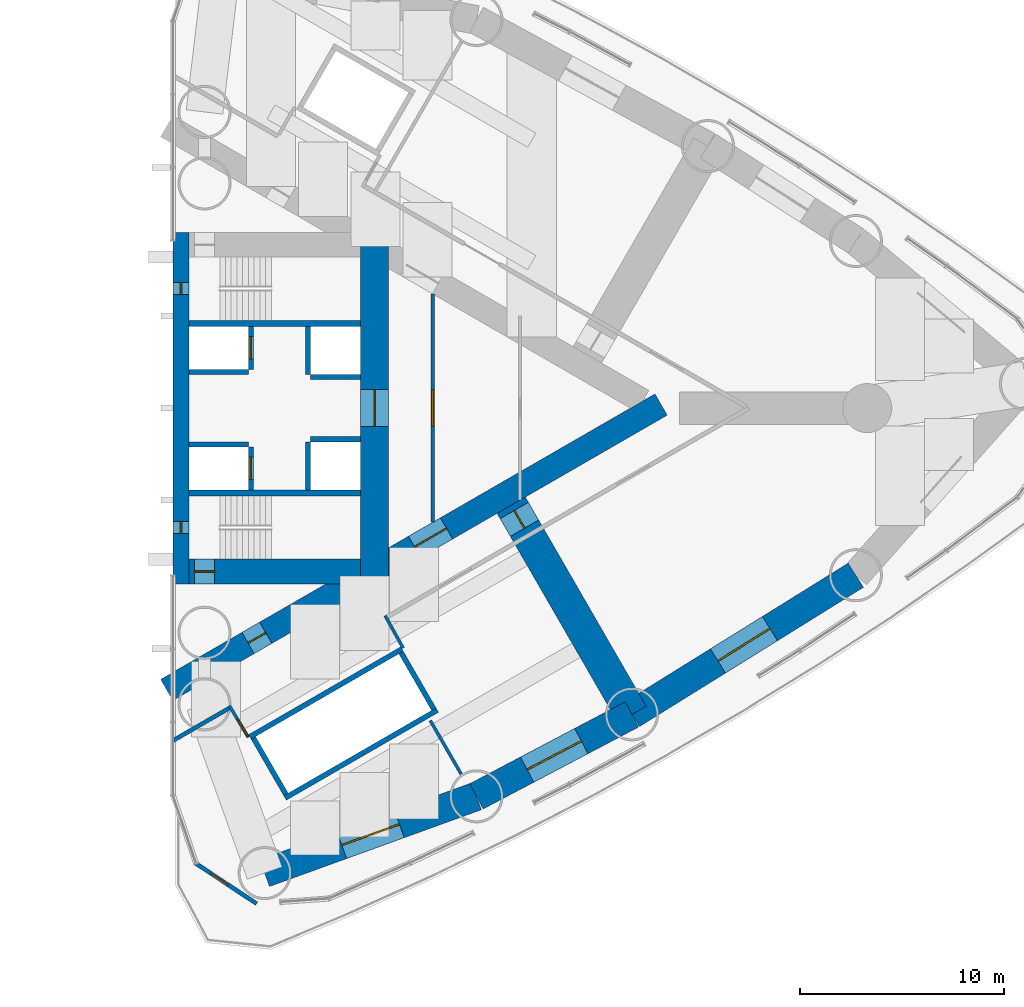
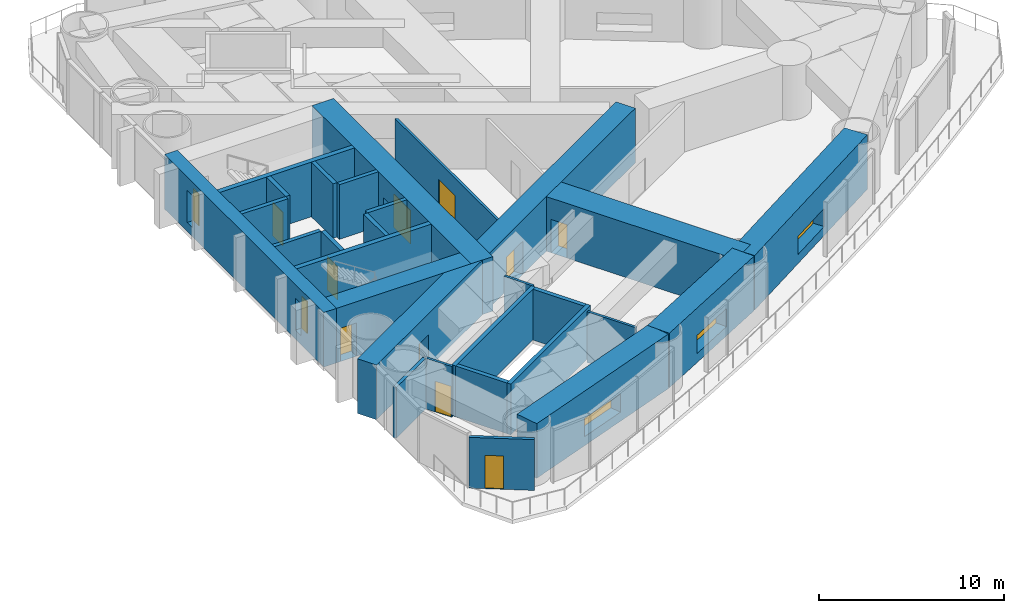
# One storey, part 15 of 19: 28 walls, 10 doors, 5 windows, 15 openings.
"""IFC4 building model written with IfcOpenShell, lengths in metres."""

from ifc_helpers import new_model, si_unit, direction, frame, frame_2d, origin, place, context, subcontext, project, spatial, rectangle, extrude, material, layer, layer_set, type_object, element, fill, save


model = new_model("IFC4")

# Units and contexts
model_context = context("Model", 3, precision=1e-05, world=origin(), true_north=direction((0.0, 1.0)))
body_context = subcontext(model_context, "Body", "Model", "MODEL_VIEW")
ifc_project = project(units=[si_unit("LENGTHUNIT", "METRE"), si_unit("AREAUNIT", "SQUARE_METRE"), si_unit("VOLUMEUNIT", "CUBIC_METRE"), si_unit("PLANEANGLEUNIT", "RADIAN"), si_unit("MASSUNIT", "GRAM", prefix="KILO")], contexts=[model_context])

# Site, building, storey
site_placement = place(None, origin())
site = spatial("IfcSite", under=ifc_project, at=site_placement, CompositionType="ELEMENT")
building_placement = place(site_placement, origin())
building = spatial("IfcBuilding", under=site, at=building_placement, Name="Lancet Gate Hotel", CompositionType="ELEMENT")
storey_placement = place(building_placement, frame((0.0, 0.0, 87.0)))
storey = spatial("IfcBuildingStorey", under=building, at=storey_placement, Name="L22", CompositionType="ELEMENT", Elevation=87.0)

# Wall, opening, window
ifc_material_1 = material(Name="Concrete C80/95", Category="concrete")
ifc_layer_1 = layer(ifc_material_1, 1.39990234375)
ifc_layer_set_1 = layer_set([ifc_layer_1], Name="Belt wall 1400")
wall_type_1 = type_object("IfcWallType", Name="Belt wall 1400", PredefinedType="SHEAR", material=ifc_layer_set_1)
wall_1_placement = place(storey_placement, frame((31.99609375, -22.76318359375, 0.0), z_axis=(0.0, 0.0, 1.0), x_axis=(0.940225039526, 0.340553777029, 0.0)))
wall_1 = element("IfcWall", 1, at=wall_1_placement, inside=storey, type_object=wall_type_1, Name="T2 belt wall CS-OS1 L22", PredefinedType="SHEAR", context=body_context, shape_type="SweptSolid", body=[
    extrude(rectangle(XDim=11.029296875, YDim=1.39990234375, at=frame_2d((5.5146484375, 0.0))), origin(), (0.0, 0.0, 1.0), 3.60009765625),
])
opening_1_placement = place(wall_1_placement, frame((4.0146484375, 0.0, 0.60009765625)))
opening_1 = element("IfcOpeningElement", 2, at=opening_1_placement, cuts=wall_1, Name="Opening LV1", PredefinedType="OPENING", context=body_context, shape_type="SweptSolid", body=[
    extrude(rectangle(XDim=3.0, YDim=1.199951171875, at=frame_2d((1.5, 0.60009765625))), frame((0.0, 0.7099609375, 0.0), z_axis=(0.0, -1.0, 0.0), x_axis=(1.0, 0.0, 0.0)), (0.0, 0.0, 1.0), 1.419921875),
])
ifc_material_2 = material(Name="Aluminium weather louvre", Category="aluminium")
window_type_1 = type_object("IfcWindowType", Name="Refuge louvre 3000x1200", PartitioningType="SINGLE_PANEL", PredefinedType="WINDOW", material=ifc_material_2)
window_1_placement = place(opening_1_placement, origin())
window_1 = element("IfcWindow", 3, at=window_1_placement, inside=storey, type_object=window_type_1, Name="T2 belt louvre CS-OS1 L22", OverallHeight=1.199951171875, OverallWidth=3.0, PartitioningType="SINGLE_PANEL", PredefinedType="WINDOW", context=body_context, shape_type="SweptSolid", body=[
    extrude(rectangle(XDim=3.0, YDim=1.199951171875, at=frame_2d((1.5, 0.60009765625))), frame((0.0, 0.030029296875, 0.0), z_axis=(0.0, -1.0, 0.0), x_axis=(1.0, 0.0, 0.0)), (0.0, 0.0, 1.0), 0.06005859375),
])
fill(opening_1, window_1)

wall_2_placement = place(storey_placement, frame((42.3662109375, -19.007080078125, 0.0), z_axis=(0.0, 0.0, 1.0), x_axis=(0.884632510133, 0.466288882578, 0.0)))
wall_2 = element("IfcWall", 4, at=wall_2_placement, inside=storey, type_object=wall_type_1, Name="T2 belt wall OS1-OS2 L22", PredefinedType="SHEAR", context=body_context, shape_type="SweptSolid", body=[
    extrude(rectangle(XDim=8.605712890625, YDim=1.39990234375, at=frame_2d((4.302734375, 0.0))), origin(), (0.0, 0.0, 1.0), 3.60009765625),
])
opening_2_placement = place(wall_2_placement, frame((2.802978515625, 0.0, 0.60009765625)))
opening_2 = element("IfcOpeningElement", 5, at=opening_2_placement, cuts=wall_2, Name="Opening LV1", PredefinedType="OPENING", context=body_context, shape_type="SweptSolid", body=[
    extrude(rectangle(XDim=3.0, YDim=1.199951171875, at=frame_2d((1.5, 0.60009765625))), frame((0.0, 0.7099609375, 0.0), z_axis=(0.0, -1.0, 0.0), x_axis=(1.0, 0.0, 0.0)), (0.0, 0.0, 1.0), 1.419921875),
])
window_2_placement = place(opening_2_placement, origin())
window_2 = element("IfcWindow", 6, at=window_2_placement, inside=storey, type_object=window_type_1, Name="T2 belt louvre OS1-OS2 L22", OverallHeight=1.199951171875, OverallWidth=3.0, PartitioningType="SINGLE_PANEL", PredefinedType="WINDOW", context=body_context, shape_type="SweptSolid", body=[
    extrude(rectangle(XDim=3.0, YDim=1.199951171875, at=frame_2d((1.5, 0.60009765625))), frame((0.0, 0.030029296875, 0.0), z_axis=(0.0, -1.0, 0.0), x_axis=(1.0, 0.0, 0.0)), (0.0, 0.0, 1.0), 0.06005859375),
])
fill(opening_2, window_2)

wall_3_placement = place(storey_placement, frame((49.97900390625, -14.994384765625, 0.0), z_axis=(0.0, 0.0, 1.0), x_axis=(0.849312372751, 0.527890607505, 0.0)))
wall_3 = element("IfcWall", 7, at=wall_3_placement, inside=storey, type_object=wall_type_1, Name="T2 belt wall OS2-OS3 L22", PredefinedType="SHEAR", context=body_context, shape_type="SweptSolid", body=[
    extrude(rectangle(XDim=12.906494140625, YDim=1.39990234375, at=frame_2d((6.453125, 0.0))), origin(), (0.0, 0.0, 1.0), 3.60009765625),
])
opening_3_placement = place(wall_3_placement, frame((4.953125, 0.0, 0.60009765625)))
opening_3 = element("IfcOpeningElement", 8, at=opening_3_placement, cuts=wall_3, Name="Opening LV1", PredefinedType="OPENING", context=body_context, shape_type="SweptSolid", body=[
    extrude(rectangle(XDim=3.0, YDim=1.199951171875, at=frame_2d((1.5, 0.60009765625))), frame((0.0, 0.7099609375, 0.0), z_axis=(0.0, -1.0, 0.0), x_axis=(1.0, 0.0, 0.0)), (0.0, 0.0, 1.0), 1.419921875),
])
window_3_placement = place(opening_3_placement, origin())
window_3 = element("IfcWindow", 9, at=window_3_placement, inside=storey, type_object=window_type_1, Name="T2 belt louvre OS2-OS3 L22", OverallHeight=1.199951171875, OverallWidth=3.0, PartitioningType="SINGLE_PANEL", PredefinedType="WINDOW", context=body_context, shape_type="SweptSolid", body=[
    extrude(rectangle(XDim=3.0, YDim=1.199951171875, at=frame_2d((1.5, 0.60009765625))), frame((0.0, 0.030029296875, 0.0), z_axis=(0.0, -1.0, 0.0), x_axis=(1.0, 0.0, 0.0)), (0.0, 0.0, 1.0), 0.06005859375),
])
fill(opening_3, window_3)

# Wall, openings, doors
ifc_material_3 = material(Name="Concrete C70/85", Category="concrete")
ifc_layer_2 = layer(ifc_material_3, 1.199951171875)
ifc_layer_set_2 = layer_set([ifc_layer_2], Name="Buttress wall 1200")
wall_type_2 = type_object("IfcWallType", Name="Buttress wall 1200", PredefinedType="SHEAR", material=ifc_layer_set_2)
wall_4_placement = place(storey_placement, frame((27.199951171875, -13.800048828125, 0.0), z_axis=(0.0, 0.0, 1.0), x_axis=(0.866027159892, 0.499996958321, 0.0)))
wall_4 = element("IfcWall", 10, at=wall_4_placement, inside=storey, type_object=wall_type_2, Name="T2 buttress wall S L22", PredefinedType="SHEAR", context=body_context, shape_type="SweptSolid", body=[
    extrude(rectangle(XDim=27.946533203125, YDim=1.199951171875, at=frame_2d((13.97314453125, 0.0))), origin(), (0.0, 0.0, 1.0), 3.60009765625),
])
opening_4_placement = place(wall_4_placement, frame((4.60009765625, 0.0, 0.0)))
opening_4 = element("IfcOpeningElement", 11, at=opening_4_placement, cuts=wall_4, Name="Opening T2-L22-LS", PredefinedType="OPENING", context=body_context, shape_type="SweptSolid", body=[
    extrude(rectangle(XDim=1.0, YDim=2.199951171875, at=frame_2d((0.5, 1.10009765625))), frame((0.0, 0.60986328125, 0.0), z_axis=(0.0, -1.0, 0.0), x_axis=(1.0, 0.0, 0.0)), (0.0, 0.0, 1.0), 1.219970703125),
])
opening_5_placement = place(wall_4_placement, frame((14.01806640625, 0.0, 0.0)))
opening_5 = element("IfcOpeningElement", 12, at=opening_5_placement, cuts=wall_4, Name="Opening T2-L22-LHS", PredefinedType="OPENING", context=body_context, shape_type="SweptSolid", body=[
    extrude(rectangle(XDim=1.800048828125, YDim=2.199951171875, at=frame_2d((0.89990234375, 1.10009765625))), frame((0.0, 0.60986328125, 0.0), z_axis=(0.0, -1.0, 0.0), x_axis=(1.0, 0.0, 0.0)), (0.0, 0.0, 1.0), 1.219970703125),
])
ifc_material_4 = material(Name="Timber door set", Category="wood")
door_type_1 = type_object("IfcDoorType", Name="Lobby double door 1800", OperationType="DOUBLE_DOOR_SINGLE_SWING", PredefinedType="DOOR", material=ifc_material_4)
door_1_placement = place(opening_5_placement, origin())
door_1 = element("IfcDoor", 13, at=door_1_placement, inside=storey, type_object=door_type_1, Name="T2-L22-LHS", OperationType="DOUBLE_DOOR_SINGLE_SWING", OverallHeight=2.199951171875, OverallWidth=1.800048828125, PredefinedType="DOOR", context=body_context, shape_type="SweptSolid", body=[
    extrude(rectangle(XDim=1.800048828125, YDim=2.199951171875, at=frame_2d((0.89990234375, 1.10009765625))), frame((0.0, 0.02490234375, 0.0), z_axis=(0.0, -1.0, 0.0), x_axis=(1.0, 0.0, 0.0)), (0.0, 0.0, 1.0), 0.050048828125),
])
fill(opening_5, door_1)
ifc_material_5 = material(Name="Timber door set", Category="wood")
door_type_2 = type_object("IfcDoorType", Name="Stair lobby door 1000", OperationType="SINGLE_SWING_LEFT", PredefinedType="DOOR", material=ifc_material_5)
door_2_placement = place(opening_4_placement, origin())
door_2 = element("IfcDoor", 14, at=door_2_placement, inside=storey, type_object=door_type_2, Name="T2-L22-LS", OperationType="SINGLE_SWING_LEFT", OverallHeight=2.199951171875, OverallWidth=1.0, PredefinedType="DOOR", context=body_context, shape_type="SweptSolid", body=[
    extrude(rectangle(XDim=1.0, YDim=2.199951171875, at=frame_2d((0.5, 1.10009765625))), frame((0.0, 0.02490234375, 0.0), z_axis=(0.0, -1.0, 0.0), x_axis=(1.0, 0.0, 0.0)), (0.0, 0.0, 1.0), 0.050048828125),
])
fill(opening_4, door_2)

# Wall, opening, door
ifc_material_6 = material(Name="Concrete C70/85", Category="concrete")
ifc_layer_3 = layer(ifc_material_6, 1.35009765625)
ifc_layer_set_3 = layer_set([ifc_layer_3], Name="Core back wall 1350, outrigger storeys")
wall_type_3 = type_object("IfcWallType", Name="Core back wall 1350, outrigger storeys", PredefinedType="SHEAR", material=ifc_layer_set_3)
wall_5_placement = place(storey_placement, frame((37.375, -8.60009765625, 0.0), z_axis=(0.0, 0.0, 1.0), x_axis=(0.0, 1.0, 0.0)))
wall_5 = element("IfcWall", 15, at=wall_5_placement, inside=storey, type_object=wall_type_3, Name="T2 core wall back L22", PredefinedType="SHEAR", context=body_context, shape_type="SweptSolid", body=[
    extrude(rectangle(XDim=17.2001953125, YDim=1.35009765625, at=frame_2d((8.60009765625, 0.0))), origin(), (0.0, 0.0, 1.0), 3.60009765625),
])
opening_6_placement = place(wall_5_placement, frame((7.699951171875, 0.0, 0.0)))
opening_6 = element("IfcOpeningElement", 16, at=opening_6_placement, cuts=wall_5, Name="Opening T2-L22-LL", PredefinedType="OPENING", context=body_context, shape_type="SweptSolid", body=[
    extrude(rectangle(XDim=1.800048828125, YDim=2.199951171875, at=frame_2d((0.89990234375, 1.10009765625))), frame((0.0, 0.68505859375, 0.0), z_axis=(0.0, -1.0, 0.0), x_axis=(1.0, 0.0, 0.0)), (0.0, 0.0, 1.0), 1.3701171875),
])
door_3_placement = place(opening_6_placement, origin())
door_3 = element("IfcDoor", 17, at=door_3_placement, inside=storey, type_object=door_type_1, Name="T2-L22-LL", OperationType="DOUBLE_DOOR_SINGLE_SWING", OverallHeight=2.199951171875, OverallWidth=1.800048828125, PredefinedType="DOOR", context=body_context, shape_type="SweptSolid", body=[
    extrude(rectangle(XDim=1.800048828125, YDim=2.199951171875, at=frame_2d((0.89990234375, 1.10009765625))), frame((0.0, 0.02490234375, 0.0), z_axis=(0.0, -1.0, 0.0), x_axis=(1.0, 0.0, 0.0)), (0.0, 0.0, 1.0), 0.050048828125),
])
fill(opening_6, door_3)

ifc_material_7 = material(Name="Concrete C70/85", Category="concrete")
ifc_layer_4 = layer(ifc_material_7, 1.199951171875)
ifc_layer_set_4 = layer_set([ifc_layer_4], Name="Core wall 1200")
wall_type_4 = type_object("IfcWallType", Name="Core wall 1200", PredefinedType="SHEAR", material=ifc_layer_set_4)
wall_6_placement = place(storey_placement, frame((28.300048828125, -8.0, 0.0), z_axis=(0.0, 0.0, 1.0), x_axis=(1.0, 0.0, 0.0)))
wall_6 = element("IfcWall", 18, at=wall_6_placement, inside=storey, type_object=wall_type_4, Name="T2 core wall side-S L22", PredefinedType="SHEAR", context=body_context, shape_type="SweptSolid", body=[
    extrude(rectangle(XDim=8.39990234375, YDim=1.199951171875, at=frame_2d((4.199951171875, 0.0))), origin(), (0.0, 0.0, 1.0), 3.60009765625),
])
opening_7_placement = place(wall_6_placement, frame((0.25, 0.0, 0.0)))
opening_7 = element("IfcOpeningElement", 19, at=opening_7_placement, cuts=wall_6, Name="Opening T2-L22-ST1", PredefinedType="OPENING", context=body_context, shape_type="SweptSolid", body=[
    extrude(rectangle(XDim=1.0, YDim=2.199951171875, at=frame_2d((0.5, 1.10009765625))), frame((0.0, 0.60986328125, 0.0), z_axis=(0.0, -1.0, 0.0), x_axis=(1.0, 0.0, 0.0)), (0.0, 0.0, 1.0), 1.219970703125),
])
ifc_material_8 = material(Name="Timber door set", Category="wood")
door_type_3 = type_object("IfcDoorType", Name="Stair door 1000", OperationType="SINGLE_SWING_RIGHT", PredefinedType="DOOR", material=ifc_material_8)
door_4_placement = place(opening_7_placement, origin())
door_4 = element("IfcDoor", 20, at=door_4_placement, inside=storey, type_object=door_type_3, Name="T2-L22-ST1", OperationType="SINGLE_SWING_RIGHT", OverallHeight=2.199951171875, OverallWidth=1.0, PredefinedType="DOOR", context=body_context, shape_type="SweptSolid", body=[
    extrude(rectangle(XDim=1.0, YDim=2.199951171875, at=frame_2d((0.5, 1.10009765625))), frame((0.0, 0.02490234375, 0.0), z_axis=(0.0, -1.0, 0.0), x_axis=(1.0, 0.0, 0.0)), (0.0, 0.0, 1.0), 0.050048828125),
])
fill(opening_7, door_4)

# Wall, openings, windows
ifc_material_9 = material(Name="Concrete C70/85", Category="concrete")
ifc_layer_5 = layer(ifc_material_9, 0.800048828125)
ifc_layer_set_5 = layer_set([ifc_layer_5], Name="Core wall 800")
wall_type_5 = type_object("IfcWallType", Name="Core wall 800", PredefinedType="SHEAR", material=ifc_layer_set_5)
wall_7_placement = place(storey_placement, frame((27.89990234375, -8.60009765625, 0.0), z_axis=(0.0, 0.0, 1.0), x_axis=(0.0, 1.0, 0.0)))
wall_7 = element("IfcWall", 21, at=wall_7_placement, inside=storey, type_object=wall_type_5, Name="T2 core wall front L22", PredefinedType="SHEAR", context=body_context, shape_type="SweptSolid", body=[
    extrude(rectangle(XDim=17.2001953125, YDim=0.800048828125, at=frame_2d((8.60009765625, 0.0))), origin(), (0.0, 0.0, 1.0), 3.60009765625),
])
opening_8_placement = place(wall_7_placement, frame((2.449951171875, 0.0, 0.60009765625)))
opening_8 = element("IfcOpeningElement", 22, at=opening_8_placement, cuts=wall_7, Name="Opening LW1", PredefinedType="OPENING", context=body_context, shape_type="SweptSolid", body=[
    extrude(rectangle(XDim=0.60009765625, YDim=2.10009765625, at=frame_2d((0.300048828125, 1.050048828125))), frame((0.0, 0.409912109375, 0.0), z_axis=(0.0, -1.0, 0.0), x_axis=(1.0, 0.0, 0.0)), (0.0, 0.0, 1.0), 0.820068359375),
])
opening_9_placement = place(wall_7_placement, frame((14.14990234375, 0.0, 0.60009765625)))
opening_9 = element("IfcOpeningElement", 23, at=opening_9_placement, cuts=wall_7, Name="Opening LW1", PredefinedType="OPENING", context=body_context, shape_type="SweptSolid", body=[
    extrude(rectangle(XDim=0.60009765625, YDim=2.10009765625, at=frame_2d((0.300048828125, 1.050048828125))), frame((0.0, 0.409912109375, 0.0), z_axis=(0.0, -1.0, 0.0), x_axis=(1.0, 0.0, 0.0)), (0.0, 0.0, 1.0), 0.820068359375),
])
ifc_material_10 = material(Name="Fire-resisting glazed steel window", Category="steel")
window_type_2 = type_object("IfcWindowType", Name="Lancet window 600x2100", PartitioningType="SINGLE_PANEL", PredefinedType="WINDOW", material=ifc_material_10)
window_4_placement = place(opening_8_placement, origin())
window_4 = element("IfcWindow", 24, at=window_4_placement, inside=storey, type_object=window_type_2, Name="T2 stair window S L22", OverallHeight=2.10009765625, OverallWidth=0.60009765625, PartitioningType="SINGLE_PANEL", PredefinedType="WINDOW", context=body_context, shape_type="SweptSolid", body=[
    extrude(rectangle(XDim=0.60009765625, YDim=2.10009765625, at=frame_2d((0.300048828125, 1.050048828125))), frame((0.0, 0.030029296875, 0.0), z_axis=(0.0, -1.0, 0.0), x_axis=(1.0, 0.0, 0.0)), (0.0, 0.0, 1.0), 0.06005859375),
])
fill(opening_8, window_4)
window_5_placement = place(opening_9_placement, origin())
window_5 = element("IfcWindow", 25, at=window_5_placement, inside=storey, type_object=window_type_2, Name="T2 stair window N L22", OverallHeight=2.10009765625, OverallWidth=0.60009765625, PartitioningType="SINGLE_PANEL", PredefinedType="WINDOW", context=body_context, shape_type="SweptSolid", body=[
    extrude(rectangle(XDim=0.60009765625, YDim=2.10009765625, at=frame_2d((0.300048828125, 1.050048828125))), frame((0.0, 0.030029296875, 0.0), z_axis=(0.0, -1.0, 0.0), x_axis=(1.0, 0.0, 0.0)), (0.0, 0.0, 1.0), 0.06005859375),
])
fill(opening_9, window_5)

# Wall
ifc_material_11 = material(Name="Gypsum board partition")
ifc_layer_6 = layer(ifc_material_11, 0.199951171875)
ifc_layer_set_6 = layer_set([ifc_layer_6], Name="Corridor wall 200")
wall_type_6 = type_object("IfcWallType", Name="Corridor wall 200", PredefinedType="PARTITIONING", material=ifc_layer_set_6)
wall_8_placement = place(storey_placement, frame((27.5, -16.282470703125, 0.0), z_axis=(0.0, 0.0, 1.0), x_axis=(0.866039938485, 0.499974824316, 0.0)))
element("IfcWall", 26, at=wall_8_placement, inside=storey, type_object=wall_type_6, Name="T2 corridor wall 200 L22", PredefinedType="PARTITIONING", context=body_context, shape_type="SweptSolid", body=[
    extrude(rectangle(XDim=3.238037109375, YDim=0.199951171875, at=frame_2d((1.619140625, 0.0))), origin(), (0.0, 0.0, 1.0), 3.35009765625),
])

# Wall, opening, door
ifc_material_12 = material(Name="Glazed aluminium screen", Category="aluminium")
ifc_layer_7 = layer(ifc_material_12, 0.199951171875)
ifc_layer_set_7 = layer_set([ifc_layer_7], Name="Glazed entrance screen 200")
wall_type_7 = type_object("IfcWallType", Name="Glazed entrance screen 200", PredefinedType="STANDARD", material=ifc_layer_set_7)
wall_9_placement = place(storey_placement, frame((31.60205078125, -24.26220703125, 0.0), z_axis=(0.0, 0.0, 1.0), x_axis=(-0.833476513596, 0.552554885314, 0.0)))
wall_9 = element("IfcWall", 27, at=wall_9_placement, inside=storey, type_object=wall_type_7, Name="T2 maintenance roof screen L22", PredefinedType="STANDARD", context=body_context, shape_type="SweptSolid", body=[
    extrude(rectangle(XDim=3.54833984375, YDim=0.199951171875, at=frame_2d((1.774169921875, 0.0))), origin(), (0.0, 0.0, 1.0), 3.35009765625),
])
opening_10_placement = place(wall_9_placement, frame((1.674072265625, 0.0, 0.0)))
opening_10 = element("IfcOpeningElement", 28, at=opening_10_placement, cuts=wall_9, Name="Opening T2-L22-MR", PredefinedType="OPENING", context=body_context, shape_type="SweptSolid", body=[
    extrude(rectangle(XDim=1.0, YDim=2.199951171875, at=frame_2d((0.5, 1.10009765625))), frame((0.0, 0.10986328125, 0.0), z_axis=(0.0, -1.0, 0.0), x_axis=(1.0, 0.0, 0.0)), (0.0, 0.0, 1.0), 0.219970703125),
])
ifc_material_13 = material(Name="Steel door set, weather sealed", Category="steel")
door_type_4 = type_object("IfcDoorType", Name="Maintenance roof door 1000 external", OperationType="SINGLE_SWING_LEFT", PredefinedType="DOOR", material=ifc_material_13)
door_5_placement = place(opening_10_placement, origin())
door_5 = element("IfcDoor", 29, at=door_5_placement, inside=storey, type_object=door_type_4, Name="Maintenance roof access door T2-L22-MR", OperationType="SINGLE_SWING_LEFT", OverallHeight=2.199951171875, OverallWidth=1.0, PredefinedType="DOOR", context=body_context, shape_type="SweptSolid", body=[
    extrude(rectangle(XDim=1.0, YDim=2.199951171875, at=frame_2d((0.5, 1.10009765625))), frame((0.0, 0.02490234375, 0.0), z_axis=(0.0, -1.0, 0.0), x_axis=(1.0, 0.0, 0.0)), (0.0, 0.0, 1.0), 0.050048828125),
])
fill(opening_10, door_5)

# Walls
ifc_material_14 = material(Name="Gypsum board partition")
ifc_layer_8 = layer(ifc_material_14, 0.25)
ifc_layer_set_8 = layer_set([ifc_layer_8], Name="Lift shaft partition 250")
wall_type_8 = type_object("IfcWallType", Name="Lift shaft partition 250", PredefinedType="PARTITIONING", material=ifc_layer_set_8)
for number, where, z_axis, x_axis, name in (
    (30, (31.2705078125, -16.09716796875, 0.0), (0.0, 0.0, 1.0), (0.86604045752, 0.499973925258, 0.0), "T2 lift shaft wall LR L22"),
    (31, (32.99560546875, -19.085693359375, 0.0), (0.0, 0.0, 1.0), (0.866028165386, 0.499995216735, 0.0), "T2 lift shaft wall LR L22"),
):
    element("IfcWall", number, at=place(storey_placement, frame(where, z_axis=z_axis, x_axis=x_axis)), inside=storey, type_object=wall_type_8, Name=name, PredefinedType="PARTITIONING", context=body_context, shape_type="SweptSolid", body=[
        extrude(rectangle(XDim=8.60009765625, YDim=0.25, at=frame_2d((4.300048828125, 0.0))), origin(), (0.0, 0.0, 1.0), 3.35009765625),
    ])
for number, where, z_axis, x_axis, name in (
    (32, (31.441162109375, -16.14306640625, 0.0), (0.0, 0.0, 1.0), (0.499929347863, -0.866066190972, 0.0), "T2 lift shaft wall LR L22"),
    (33, (38.672607421875, -11.968017578125, 0.0), (0.0, 0.0, 1.0), (0.499929347863, -0.866066190972, 0.0), "T2 lift shaft wall LR L22"),
):
    element("IfcWall", number, at=place(storey_placement, frame(where, z_axis=z_axis, x_axis=x_axis)), inside=storey, type_object=wall_type_8, Name=name, PredefinedType="PARTITIONING", context=body_context, shape_type="SweptSolid", body=[
        extrude(rectangle(XDim=3.20068359375, YDim=0.25, at=frame_2d((1.600341796875, 0.0))), origin(), (0.0, 0.0, 1.0), 3.35009765625),
    ])

# Wall, opening, door
ifc_material_15 = material(Name="Concrete C50/60", Category="concrete")
ifc_layer_9 = layer(ifc_material_15, 0.25)
ifc_layer_set_9 = layer_set([ifc_layer_9], Name="Lift shaft wall 250")
wall_type_9 = type_object("IfcWallType", Name="Lift shaft wall 250", PredefinedType="SHEAR", material=ifc_layer_set_9)
wall_10_placement = place(storey_placement, frame((31.324951171875, -4.0, 0.0), z_axis=(0.0, 0.0, 1.0), x_axis=(0.0, 1.0, 0.0)))
wall_10 = element("IfcWall", 34, at=wall_10_placement, inside=storey, type_object=wall_type_9, Name="T2 core wall row1-S L22", PredefinedType="SHEAR", context=body_context, shape_type="SweptSolid", body=[
    extrude(rectangle(XDim=2.10009765625, YDim=0.25, at=frame_2d((1.050048828125, 0.0))), origin(), (0.0, 0.0, 1.0), 3.60009765625),
])
opening_11_placement = place(wall_10_placement, frame((0.5, 0.0, 0.0)))
opening_11 = element("IfcOpeningElement", 35, at=opening_11_placement, cuts=wall_10, Name="Opening T2-SL1-L22", PredefinedType="OPENING", context=body_context, shape_type="SweptSolid", body=[
    extrude(rectangle(XDim=1.10009765625, YDim=2.199951171875, at=frame_2d((0.550048828125, 1.10009765625))), frame((0.0, 0.135009765625, 0.0), z_axis=(0.0, -1.0, 0.0), x_axis=(1.0, 0.0, 0.0)), (0.0, 0.0, 1.0), 0.27001953125),
])
ifc_material_16 = material(Name="Timber door set", Category="wood")
door_type_5 = type_object("IfcDoorType", Name="Service lift landing door 1100", OperationType="SLIDING_TO_LEFT", PredefinedType="USERDEFINED", material=ifc_material_16)
door_6_placement = place(opening_11_placement, origin())
door_6 = element("IfcDoor", 36, at=door_6_placement, inside=storey, type_object=door_type_5, Name="T2-SL1-L22", ObjectType="LIFT LANDING DOOR", OperationType="SLIDING_TO_LEFT", OverallHeight=2.199951171875, OverallWidth=1.10009765625, PredefinedType="USERDEFINED", context=body_context, shape_type="SweptSolid", body=[
    extrude(rectangle(XDim=1.10009765625, YDim=2.199951171875, at=frame_2d((0.550048828125, 1.10009765625))), frame((0.0, 0.02490234375, 0.0), z_axis=(0.0, -1.0, 0.0), x_axis=(1.0, 0.0, 0.0)), (0.0, 0.0, 1.0), 0.050048828125),
])
fill(opening_11, door_6)

# Walls
wall_11_placement = place(storey_placement, frame((34.125, -4.0, 0.0), z_axis=(0.0, 0.0, 1.0), x_axis=(0.0, 1.0, 0.0)))
element("IfcWall", 37, at=wall_11_placement, inside=storey, type_object=wall_type_9, Name="T2 core wall row2-S L22", PredefinedType="SHEAR", context=body_context, shape_type="SweptSolid", body=[
    extrude(rectangle(XDim=2.35009765625, YDim=0.25, at=frame_2d((1.175048828125, 0.0))), origin(), (0.0, 0.0, 1.0), 3.60009765625),
])
wall_12_placement = place(storey_placement, frame((28.300048828125, -1.77490234375, 0.0), z_axis=(0.0, 0.0, 1.0), x_axis=(1.0, 0.0, 0.0)))
element("IfcWall", 38, at=wall_12_placement, inside=storey, type_object=wall_type_9, Name="T2 core wall pass1-S L22", PredefinedType="SHEAR", context=body_context, shape_type="SweptSolid", body=[
    extrude(rectangle(XDim=2.89990234375, YDim=0.25, at=frame_2d((1.449951171875, 0.0))), origin(), (0.0, 0.0, 1.0), 3.60009765625),
])
wall_13_placement = place(storey_placement, frame((34.25, -1.52490234375, 0.0), z_axis=(0.0, 0.0, 1.0), x_axis=(1.0, 0.0, 0.0)))
element("IfcWall", 39, at=wall_13_placement, inside=storey, type_object=wall_type_9, Name="T2 core wall pass2-S L22", PredefinedType="SHEAR", context=body_context, shape_type="SweptSolid", body=[
    extrude(rectangle(XDim=2.449951171875, YDim=0.25, at=frame_2d((1.22509765625, 0.0))), origin(), (0.0, 0.0, 1.0), 3.60009765625),
])

# Wall, opening, door
wall_14_placement = place(storey_placement, frame((31.324951171875, 1.89990234375, 0.0), z_axis=(0.0, 0.0, 1.0), x_axis=(0.0, 1.0, 0.0)))
wall_14 = element("IfcWall", 40, at=wall_14_placement, inside=storey, type_object=wall_type_9, Name="T2 core wall row1-N L22", PredefinedType="SHEAR", context=body_context, shape_type="SweptSolid", body=[
    extrude(rectangle(XDim=2.10009765625, YDim=0.25, at=frame_2d((1.050048828125, 0.0))), origin(), (0.0, 0.0, 1.0), 3.60009765625),
])
opening_12_placement = place(wall_14_placement, frame((0.5, 0.0, 0.0)))
opening_12 = element("IfcOpeningElement", 41, at=opening_12_placement, cuts=wall_14, Name="Opening T2-FL2-L22", PredefinedType="OPENING", context=body_context, shape_type="SweptSolid", body=[
    extrude(rectangle(XDim=1.10009765625, YDim=2.199951171875, at=frame_2d((0.550048828125, 1.10009765625))), frame((0.0, 0.135009765625, 0.0), z_axis=(0.0, -1.0, 0.0), x_axis=(1.0, 0.0, 0.0)), (0.0, 0.0, 1.0), 0.27001953125),
])
ifc_material_17 = material(Name="Steel door set", Category="steel")
door_type_6 = type_object("IfcDoorType", Name="Firefighting lift landing door 1100", OperationType="SLIDING_TO_LEFT", PredefinedType="USERDEFINED", material=ifc_material_17)
door_7_placement = place(opening_12_placement, origin())
door_7 = element("IfcDoor", 42, at=door_7_placement, inside=storey, type_object=door_type_6, Name="T2-FL2-L22", ObjectType="LIFT LANDING DOOR", OperationType="SLIDING_TO_LEFT", OverallHeight=2.199951171875, OverallWidth=1.10009765625, PredefinedType="USERDEFINED", context=body_context, shape_type="SweptSolid", body=[
    extrude(rectangle(XDim=1.10009765625, YDim=2.199951171875, at=frame_2d((0.550048828125, 1.10009765625))), frame((0.0, 0.02490234375, 0.0), z_axis=(0.0, -1.0, 0.0), x_axis=(1.0, 0.0, 0.0)), (0.0, 0.0, 1.0), 0.050048828125),
])
fill(opening_12, door_7)

# Walls
wall_15_placement = place(storey_placement, frame((34.125, 1.64990234375, 0.0), z_axis=(0.0, 0.0, 1.0), x_axis=(0.0, 1.0, 0.0)))
element("IfcWall", 43, at=wall_15_placement, inside=storey, type_object=wall_type_9, Name="T2 core wall row2-N L22", PredefinedType="SHEAR", context=body_context, shape_type="SweptSolid", body=[
    extrude(rectangle(XDim=2.35009765625, YDim=0.25, at=frame_2d((1.175048828125, 0.0))), origin(), (0.0, 0.0, 1.0), 3.60009765625),
])
wall_16_placement = place(storey_placement, frame((28.300048828125, 1.77490234375, 0.0), z_axis=(0.0, 0.0, 1.0), x_axis=(1.0, 0.0, 0.0)))
element("IfcWall", 44, at=wall_16_placement, inside=storey, type_object=wall_type_9, Name="T2 core wall pass1-N L22", PredefinedType="SHEAR", context=body_context, shape_type="SweptSolid", body=[
    extrude(rectangle(XDim=2.89990234375, YDim=0.25, at=frame_2d((1.449951171875, 0.0))), origin(), (0.0, 0.0, 1.0), 3.60009765625),
])
wall_17_placement = place(storey_placement, frame((34.25, 1.52490234375, 0.0), z_axis=(0.0, 0.0, 1.0), x_axis=(1.0, 0.0, 0.0)))
element("IfcWall", 45, at=wall_17_placement, inside=storey, type_object=wall_type_9, Name="T2 core wall pass2-N L22", PredefinedType="SHEAR", context=body_context, shape_type="SweptSolid", body=[
    extrude(rectangle(XDim=2.449951171875, YDim=0.25, at=frame_2d((1.22509765625, 0.0))), origin(), (0.0, 0.0, 1.0), 3.60009765625),
])

# Wall, opening, door
ifc_material_18 = material(Name="Concrete C80/95", Category="concrete")
ifc_layer_10 = layer(ifc_material_18, 1.60009765625)
ifc_layer_set_10 = layer_set([ifc_layer_10], Name="Outrigger wall 1600")
wall_type_10 = type_object("IfcWallType", Name="Outrigger wall 1600", PredefinedType="SHEAR", material=ifc_layer_set_10)
wall_18_placement = place(storey_placement, frame((44.067138671875, -4.75439453125, 0.0), z_axis=(0.0, 0.0, 1.0), x_axis=(0.499987574995, -0.866032577246, 0.0)))
wall_18 = element("IfcWall", 46, at=wall_18_placement, inside=storey, type_object=wall_type_10, Name="T2 outrigger wall OS2 L22", PredefinedType="SHEAR", context=body_context, shape_type="SweptSolid", body=[
    extrude(rectangle(XDim=11.823974609375, YDim=1.60009765625, at=frame_2d((5.912109375, 0.0))), origin(), (0.0, 0.0, 1.0), 3.60009765625),
])
opening_13_placement = place(wall_18_placement, frame((0.300048828125, 0.0, 0.0)))
opening_13 = element("IfcOpeningElement", 47, at=opening_13_placement, cuts=wall_18, Name="Opening T2-L22-LSO", PredefinedType="OPENING", context=body_context, shape_type="SweptSolid", body=[
    extrude(rectangle(XDim=1.0, YDim=2.199951171875, at=frame_2d((0.5, 1.10009765625))), frame((0.0, 0.81005859375, 0.0), z_axis=(0.0, -1.0, 0.0), x_axis=(1.0, 0.0, 0.0)), (0.0, 0.0, 1.0), 1.6201171875),
])
ifc_material_19 = material(Name="Timber door set", Category="wood")
door_type_7 = type_object("IfcDoorType", Name="Corridor door 1000", OperationType="SINGLE_SWING_LEFT", PredefinedType="DOOR", material=ifc_material_19)
door_8_placement = place(opening_13_placement, origin())
door_8 = element("IfcDoor", 48, at=door_8_placement, inside=storey, type_object=door_type_7, Name="T2-L22-LSO", OperationType="SINGLE_SWING_LEFT", OverallHeight=2.199951171875, OverallWidth=1.0, PredefinedType="DOOR", context=body_context, shape_type="SweptSolid", body=[
    extrude(rectangle(XDim=1.0, YDim=2.199951171875, at=frame_2d((0.5, 1.10009765625))), frame((0.0, 0.02490234375, 0.0), z_axis=(0.0, -1.0, 0.0), x_axis=(1.0, 0.0, 0.0)), (0.0, 0.0, 1.0), 0.050048828125),
])
fill(opening_13, door_8)

# Wall
ifc_material_20 = material(Name="Gypsum board partition")
ifc_layer_11 = layer(ifc_material_20, 0.14990234375)
ifc_layer_set_11 = layer_set([ifc_layer_11], Name="Party wall 150")
wall_type_11 = type_object("IfcWallType", Name="Party wall 150", PredefinedType="PARTITIONING", material=ifc_layer_set_11)
wall_19_placement = place(storey_placement, frame((40.10546875, -15.298583984375, 0.0), z_axis=(0.0, 0.0, 1.0), x_axis=(0.499978822259, -0.866037630414, 0.0)))
element("IfcWall", 49, at=wall_19_placement, inside=storey, type_object=wall_type_11, Name="T2 party wall 150 L22", PredefinedType="PARTITIONING", context=body_context, shape_type="SweptSolid", body=[
    extrude(rectangle(XDim=3.022705078125, YDim=0.14990234375, at=frame_2d((1.51123046875, 0.0))), origin(), (0.0, 0.0, 1.0), 3.35009765625),
])

# Wall, opening, door
ifc_material_21 = material(Name="Gypsum board partition")
ifc_layer_12 = layer(ifc_material_21, 0.14990234375)
ifc_layer_set_12 = layer_set([ifc_layer_12], Name="Service room wall 150")
wall_type_12 = type_object("IfcWallType", Name="Service room wall 150", PredefinedType="PARTITIONING", material=ifc_layer_set_12)
wall_20_placement = place(storey_placement, frame((30.26708984375, -14.5693359375, 0.0), z_axis=(0.0, 0.0, 1.0), x_axis=(0.514336634837, -0.857588377991, 0.0)))
wall_20 = element("IfcWall", 50, at=wall_20_placement, inside=storey, type_object=wall_type_12, Name="T2 service room wall 150 L22", PredefinedType="PARTITIONING", context=body_context, shape_type="SweptSolid", body=[
    extrude(rectangle(XDim=1.80517578125, YDim=0.14990234375, at=frame_2d((0.902587890625, 0.0))), origin(), (0.0, 0.0, 1.0), 3.35009765625),
])
opening_14_placement = place(wall_20_placement, frame((0.755126953125, 0.0, 0.0)))
opening_14 = element("IfcOpeningElement", 51, at=opening_14_placement, cuts=wall_20, Name="Opening T2-L22-RC01", PredefinedType="OPENING", context=body_context, shape_type="SweptSolid", body=[
    extrude(rectangle(XDim=1.0, YDim=2.030029296875, at=frame_2d((0.5, 1.01513671875))), frame((0.0, 0.0849609375, 0.0), z_axis=(0.0, -1.0, 0.0), x_axis=(1.0, 0.0, 0.0)), (0.0, 0.0, 1.0), 0.169921875),
])
ifc_material_22 = material(Name="Timber door set", Category="wood")
door_type_8 = type_object("IfcDoorType", Name="Service door 1000, 2030 high", OperationType="SINGLE_SWING_LEFT", PredefinedType="DOOR", material=ifc_material_22)
door_9_placement = place(opening_14_placement, origin())
door_9 = element("IfcDoor", 52, at=door_9_placement, inside=storey, type_object=door_type_8, Name="T2-L22-RC01", OperationType="SINGLE_SWING_LEFT", OverallHeight=2.030029296875, OverallWidth=1.0, PredefinedType="DOOR", context=body_context, shape_type="SweptSolid", body=[
    extrude(rectangle(XDim=1.0, YDim=2.030029296875, at=frame_2d((0.5, 1.01513671875))), frame((0.0, 0.02490234375, 0.0), z_axis=(0.0, -1.0, 0.0), x_axis=(1.0, 0.0, 0.0)), (0.0, 0.0, 1.0), 0.050048828125),
])
fill(opening_14, door_9)

# Wall
wall_21_placement = place(storey_placement, frame((38.7734375, -11.742431640625, 0.0), z_axis=(0.0, 0.0, 1.0), x_axis=(-0.485528096672, 0.8742210632, 0.0)))
element("IfcWall", 53, at=wall_21_placement, inside=storey, type_object=wall_type_12, Name="T2 service room wall 150 L22", PredefinedType="PARTITIONING", context=body_context, shape_type="SweptSolid", body=[
    extrude(rectangle(XDim=1.80517578125, YDim=0.14990234375, at=frame_2d((0.902587890625, 0.0))), origin(), (0.0, 0.0, 1.0), 3.35009765625),
])

# Wall, opening, door
wall_22_placement = place(storey_placement, frame((40.22509765625, -5.587158203125, 0.0), z_axis=(0.0, 0.0, 1.0), x_axis=(0.0, 1.0, 0.0)))
wall_22 = element("IfcWall", 54, at=wall_22_placement, inside=storey, type_object=wall_type_12, Name="T2 service room wall 150 L22", PredefinedType="PARTITIONING", context=body_context, shape_type="SweptSolid", body=[
    extrude(rectangle(XDim=11.17431640625, YDim=0.14990234375, at=frame_2d((5.587158203125, 0.0))), origin(), (0.0, 0.0, 1.0), 3.35009765625),
])
opening_15_placement = place(wall_22_placement, frame((4.687255859375, 0.0, 0.0)))
opening_15 = element("IfcOpeningElement", 55, at=opening_15_placement, cuts=wall_22, Name="Opening T2-L22-LH", PredefinedType="OPENING", context=body_context, shape_type="SweptSolid", body=[
    extrude(rectangle(XDim=1.800048828125, YDim=2.199951171875, at=frame_2d((0.89990234375, 1.10009765625))), frame((0.0, 0.0849609375, 0.0), z_axis=(0.0, -1.0, 0.0), x_axis=(1.0, 0.0, 0.0)), (0.0, 0.0, 1.0), 0.169921875),
])
door_10_placement = place(opening_15_placement, origin())
door_10 = element("IfcDoor", 56, at=door_10_placement, inside=storey, type_object=door_type_1, Name="T2-L22-LH", OperationType="DOUBLE_DOOR_SINGLE_SWING", OverallHeight=2.199951171875, OverallWidth=1.800048828125, PredefinedType="DOOR", context=body_context, shape_type="SweptSolid", body=[
    extrude(rectangle(XDim=1.800048828125, YDim=2.199951171875, at=frame_2d((0.89990234375, 1.10009765625))), frame((0.0, 0.02490234375, 0.0), z_axis=(0.0, -1.0, 0.0), x_axis=(1.0, 0.0, 0.0)), (0.0, 0.0, 1.0), 0.050048828125),
])
fill(opening_15, door_10)

# Walls
ifc_material_23 = material(Name="Concrete C50/60", Category="concrete")
ifc_layer_13 = layer(ifc_material_23, 0.300048828125)
ifc_layer_set_13 = layer_set([ifc_layer_13], Name="Stair enclosure wall 300")
wall_type_13 = type_object("IfcWallType", Name="Stair enclosure wall 300", PredefinedType="SHEAR", material=ifc_layer_set_13)
for number, where, z_axis, x_axis, name in (
    (57, (28.300048828125, -4.14990234375, 0.0), (0.0, 0.0, 1.0), (1.0, 0.0, 0.0), "T2 core wall stair-S L22"),
    (58, (28.300048828125, 4.14990234375, 0.0), (0.0, 0.0, 1.0), (1.0, 0.0, 0.0), "T2 core wall stair-N L22"),
):
    element("IfcWall", number, at=place(storey_placement, frame(where, z_axis=z_axis, x_axis=x_axis)), inside=storey, type_object=wall_type_13, Name=name, PredefinedType="SHEAR", context=body_context, shape_type="SweptSolid", body=[
        extrude(rectangle(XDim=8.39990234375, YDim=0.300048828125, at=frame_2d((4.199951171875, 0.0))), origin(), (0.0, 0.0, 1.0), 3.60009765625),
    ])

save(model, "model.ifc")
